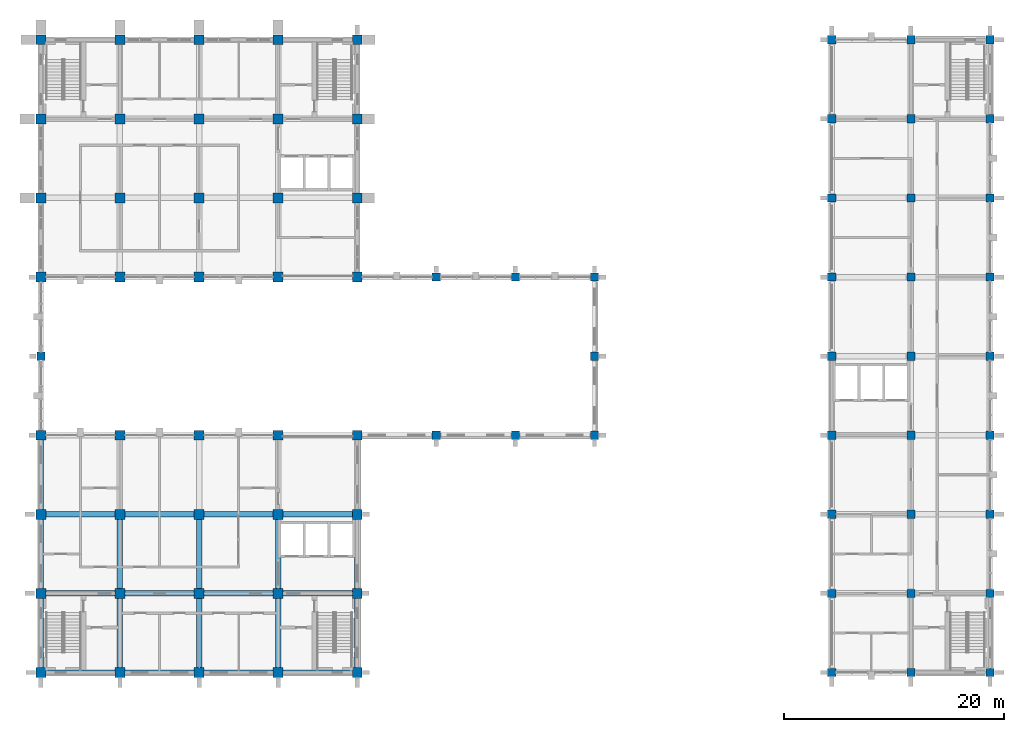
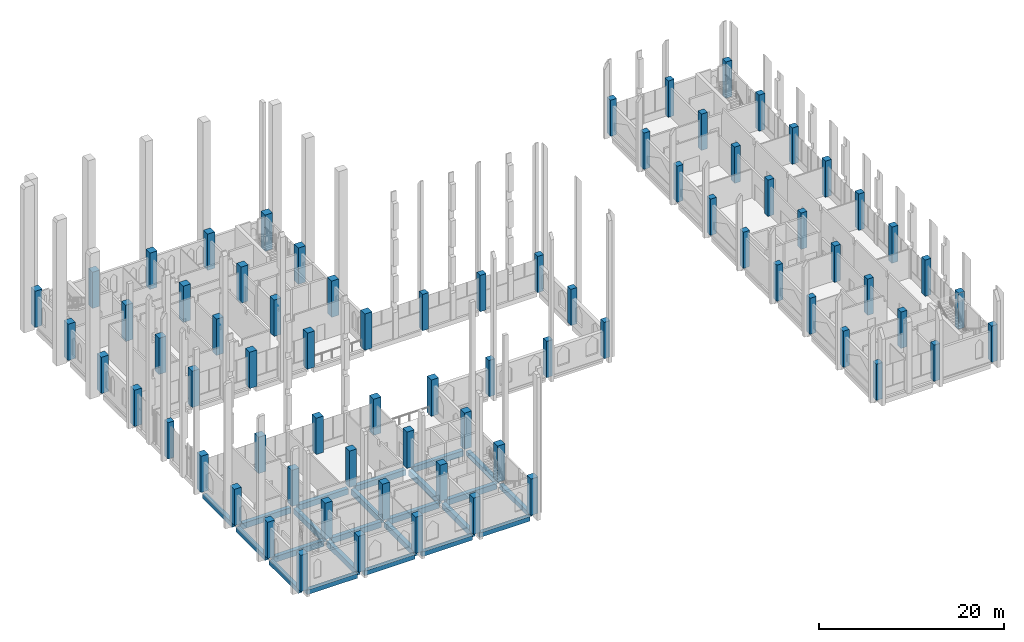
# One storey, part 1 of 40: 75 columns, 23 beams.
"""IFC4 building model written with IfcOpenShell, lengths in metres."""

from ifc_helpers import new_model, si_unit, direction, frame, origin, origin_2d, place, context, subcontext, project, spatial, rectangle, extrude, material, material_profile, profile_set, type_object, element, save


model = new_model("IFC4")

# Units and contexts
model_context = context("Model", 3, precision=1e-05, world=origin(), true_north=direction((0.0, 1.0)))
body_context = subcontext(model_context, "Body", "Model", "MODEL_VIEW")
ifc_project = project(units=[si_unit("LENGTHUNIT", "METRE"), si_unit("AREAUNIT", "SQUARE_METRE"), si_unit("VOLUMEUNIT", "CUBIC_METRE"), si_unit("PLANEANGLEUNIT", "RADIAN"), si_unit("MASSUNIT", "GRAM", prefix="KILO")], contexts=[model_context])

# Site, building, storey
site_placement = place(None, origin())
site = spatial("IfcSite", under=ifc_project, at=site_placement, CompositionType="ELEMENT")
building_placement = place(site_placement, origin())
building = spatial("IfcBuilding", under=site, at=building_placement, Name="Silangan Lancet Faculty of Sciences", CompositionType="ELEMENT")
storey_placement = place(building_placement, frame((0.0, 0.0, 21.60009765625)))
storey = spatial("IfcBuildingStorey", under=building, at=storey_placement, Name="L04", CompositionType="ELEMENT", Elevation=21.60009765625)

# Columns
ifc_material_1 = material(Name="Concrete C40/50", Category="concrete")
ifc_material_profile_1 = material_profile(ifc_material_1, rectangle(XDim=0.75, YDim=0.75, at=origin_2d()), Name="RC 750x750")
ifc_profile_set_1 = profile_set([ifc_material_profile_1], Name="Concrete C40/50")
column_type_1 = type_object("IfcColumnType", Name="COLUMN RC 750x750", PredefinedType="COLUMN", material=ifc_profile_set_1)
for number, where, z_axis, x_axis, name in (
    (1, (0.0, 28.800048828125, 0.0), (0.0, 0.0, 1.0), (1.0, 0.0, 0.0), "COL-L04-1E"),
    (2, (36.0, 21.60009765625, 0.0), (0.0, 0.0, 1.0), (1.0, 0.0, 0.0), "COL-L04-6D"),
    (3, (36.0, 36.0, 0.0), (0.0, 0.0, 1.0), (1.0, 0.0, 0.0), "COL-L04-6F"),
    (4, (43.199951171875, 21.60009765625, 0.0), (0.0, 0.0, 1.0), (1.0, 0.0, 0.0), "COL-L04-7D"),
    (5, (43.199951171875, 36.0, 0.0), (0.0, 0.0, 1.0), (1.0, 0.0, 0.0), "COL-L04-7F"),
    (6, (50.39990234375, 21.60009765625, 0.0), (0.0, 0.0, 1.0), (1.0, 0.0, 0.0), "COL-L04-8D"),
    (7, (50.39990234375, 28.800048828125, 0.0), (0.0, 0.0, 1.0), (1.0, 0.0, 0.0), "COL-L04-8E"),
    (8, (50.39990234375, 36.0, 0.0), (0.0, 0.0, 1.0), (1.0, 0.0, 0.0), "COL-L04-8F"),
    (9, (72.0, 0.0, 0.0), (0.0, 0.0, 1.0), (1.0, 0.0, 0.0), "COL-L04-11A"),
    (10, (72.0, 7.199951171875, 0.0), (0.0, 0.0, 1.0), (1.0, 0.0, 0.0), "COL-L04-11B"),
    (11, (72.0, 14.39990234375, 0.0), (0.0, 0.0, 1.0), (1.0, 0.0, 0.0), "COL-L04-11C"),
    (12, (72.0, 21.60009765625, 0.0), (0.0, 0.0, 1.0), (1.0, 0.0, 0.0), "COL-L04-11D"),
    (13, (72.0, 28.800048828125, 0.0), (0.0, 0.0, 1.0), (1.0, 0.0, 0.0), "COL-L04-11E"),
    (14, (72.0, 36.0, 0.0), (0.0, 0.0, 1.0), (1.0, 0.0, 0.0), "COL-L04-11F"),
    (15, (72.0, 43.199951171875, 0.0), (0.0, 0.0, 1.0), (1.0, 0.0, 0.0), "COL-L04-11G"),
    (16, (72.0, 50.39990234375, 0.0), (0.0, 0.0, 1.0), (1.0, 0.0, 0.0), "COL-L04-11H"),
    (17, (72.0, 57.60009765625, 0.0), (0.0, 0.0, 1.0), (1.0, 0.0, 0.0), "COL-L04-11I"),
    (18, (79.199951171875, 0.0, 0.0), (0.0, 0.0, 1.0), (1.0, 0.0, 0.0), "COL-L04-12A"),
    (19, (79.199951171875, 7.199951171875, 0.0), (0.0, 0.0, 1.0), (1.0, 0.0, 0.0), "COL-L04-12B"),
    (20, (79.199951171875, 14.39990234375, 0.0), (0.0, 0.0, 1.0), (1.0, 0.0, 0.0), "COL-L04-12C"),
    (21, (79.199951171875, 21.60009765625, 0.0), (0.0, 0.0, 1.0), (1.0, 0.0, 0.0), "COL-L04-12D"),
    (22, (79.199951171875, 28.800048828125, 0.0), (0.0, 0.0, 1.0), (1.0, 0.0, 0.0), "COL-L04-12E"),
    (23, (79.199951171875, 36.0, 0.0), (0.0, 0.0, 1.0), (1.0, 0.0, 0.0), "COL-L04-12F"),
    (24, (79.199951171875, 43.199951171875, 0.0), (0.0, 0.0, 1.0), (1.0, 0.0, 0.0), "COL-L04-12G"),
    (25, (79.199951171875, 50.39990234375, 0.0), (0.0, 0.0, 1.0), (1.0, 0.0, 0.0), "COL-L04-12H"),
    (26, (79.199951171875, 57.60009765625, 0.0), (0.0, 0.0, 1.0), (1.0, 0.0, 0.0), "COL-L04-12I"),
    (27, (86.39990234375, 0.0, 0.0), (0.0, 0.0, 1.0), (1.0, 0.0, 0.0), "COL-L04-13A"),
    (28, (86.39990234375, 7.199951171875, 0.0), (0.0, 0.0, 1.0), (1.0, 0.0, 0.0), "COL-L04-13B"),
    (29, (86.39990234375, 14.39990234375, 0.0), (0.0, 0.0, 1.0), (1.0, 0.0, 0.0), "COL-L04-13C"),
    (30, (86.39990234375, 21.60009765625, 0.0), (0.0, 0.0, 1.0), (1.0, 0.0, 0.0), "COL-L04-13D"),
    (31, (86.39990234375, 28.800048828125, 0.0), (0.0, 0.0, 1.0), (1.0, 0.0, 0.0), "COL-L04-13E"),
    (32, (86.39990234375, 36.0, 0.0), (0.0, 0.0, 1.0), (1.0, 0.0, 0.0), "COL-L04-13F"),
    (33, (86.39990234375, 43.199951171875, 0.0), (0.0, 0.0, 1.0), (1.0, 0.0, 0.0), "COL-L04-13G"),
    (34, (86.39990234375, 50.39990234375, 0.0), (0.0, 0.0, 1.0), (1.0, 0.0, 0.0), "COL-L04-13H"),
    (35, (86.39990234375, 57.60009765625, 0.0), (0.0, 0.0, 1.0), (1.0, 0.0, 0.0), "COL-L04-13I"),
):
    element("IfcColumn", number, at=place(storey_placement, frame(where, z_axis=z_axis, x_axis=x_axis)), inside=storey, type_object=column_type_1, Name=name, PredefinedType="COLUMN", context=body_context, shape_type="SweptSolid", body=[
        extrude(rectangle(XDim=0.75, YDim=0.75, at=origin_2d()), origin(), (0.0, 0.0, 1.0), 4.7998046875),
    ])
ifc_material_2 = material(Name="Concrete C50/60", Category="concrete")
ifc_material_profile_2 = material_profile(ifc_material_2, rectangle(XDim=0.89990234375, YDim=0.89990234375, at=origin_2d()), Name="RC 900x900")
ifc_profile_set_2 = profile_set([ifc_material_profile_2], Name="Concrete C50/60")
column_type_2 = type_object("IfcColumnType", Name="COLUMN RC 900x900", PredefinedType="COLUMN", material=ifc_profile_set_2)
for number, where, z_axis, x_axis, name in (
    (36, (0.0, 0.0, 0.0), (0.0, 0.0, 1.0), (1.0, 0.0, 0.0), "COL-L04-1A"),
    (37, (0.0, 7.199951171875, 0.0), (0.0, 0.0, 1.0), (1.0, 0.0, 0.0), "COL-L04-1B"),
    (38, (0.0, 14.39990234375, 0.0), (0.0, 0.0, 1.0), (1.0, 0.0, 0.0), "COL-L04-1C"),
    (39, (0.0, 21.60009765625, 0.0), (0.0, 0.0, 1.0), (1.0, 0.0, 0.0), "COL-L04-1D"),
    (40, (0.0, 36.0, 0.0), (0.0, 0.0, 1.0), (1.0, 0.0, 0.0), "COL-L04-1F"),
    (41, (0.0, 43.199951171875, 0.0), (0.0, 0.0, 1.0), (1.0, 0.0, 0.0), "COL-L04-1G"),
    (42, (0.0, 50.39990234375, 0.0), (0.0, 0.0, 1.0), (1.0, 0.0, 0.0), "COL-L04-1H"),
    (43, (0.0, 57.60009765625, 0.0), (0.0, 0.0, 1.0), (1.0, 0.0, 0.0), "COL-L04-1I"),
    (44, (7.199951171875, 0.0, 0.0), (0.0, 0.0, 1.0), (1.0, 0.0, 0.0), "COL-L04-2A"),
    (45, (7.199951171875, 7.199951171875, 0.0), (0.0, 0.0, 1.0), (1.0, 0.0, 0.0), "COL-L04-2B"),
    (46, (7.199951171875, 14.39990234375, 0.0), (0.0, 0.0, 1.0), (1.0, 0.0, 0.0), "COL-L04-2C"),
    (47, (7.199951171875, 21.60009765625, 0.0), (0.0, 0.0, 1.0), (1.0, 0.0, 0.0), "COL-L04-2D"),
    (48, (7.199951171875, 36.0, 0.0), (0.0, 0.0, 1.0), (1.0, 0.0, 0.0), "COL-L04-2F"),
    (49, (7.199951171875, 43.199951171875, 0.0), (0.0, 0.0, 1.0), (1.0, 0.0, 0.0), "COL-L04-2G"),
    (50, (7.199951171875, 50.39990234375, 0.0), (0.0, 0.0, 1.0), (1.0, 0.0, 0.0), "COL-L04-2H"),
    (51, (7.199951171875, 57.60009765625, 0.0), (0.0, 0.0, 1.0), (1.0, 0.0, 0.0), "COL-L04-2I"),
    (52, (14.39990234375, 0.0, 0.0), (0.0, 0.0, 1.0), (1.0, 0.0, 0.0), "COL-L04-3A"),
    (53, (14.39990234375, 7.199951171875, 0.0), (0.0, 0.0, 1.0), (1.0, 0.0, 0.0), "COL-L04-3B"),
    (54, (14.39990234375, 14.39990234375, 0.0), (0.0, 0.0, 1.0), (1.0, 0.0, 0.0), "COL-L04-3C"),
    (55, (14.39990234375, 21.60009765625, 0.0), (0.0, 0.0, 1.0), (1.0, 0.0, 0.0), "COL-L04-3D"),
    (56, (14.39990234375, 36.0, 0.0), (0.0, 0.0, 1.0), (1.0, 0.0, 0.0), "COL-L04-3F"),
    (57, (14.39990234375, 43.199951171875, 0.0), (0.0, 0.0, 1.0), (1.0, 0.0, 0.0), "COL-L04-3G"),
    (58, (14.39990234375, 50.39990234375, 0.0), (0.0, 0.0, 1.0), (1.0, 0.0, 0.0), "COL-L04-3H"),
    (59, (14.39990234375, 57.60009765625, 0.0), (0.0, 0.0, 1.0), (1.0, 0.0, 0.0), "COL-L04-3I"),
    (60, (21.60009765625, 0.0, 0.0), (0.0, 0.0, 1.0), (1.0, 0.0, 0.0), "COL-L04-4A"),
    (61, (21.60009765625, 7.199951171875, 0.0), (0.0, 0.0, 1.0), (1.0, 0.0, 0.0), "COL-L04-4B"),
    (62, (21.60009765625, 14.39990234375, 0.0), (0.0, 0.0, 1.0), (1.0, 0.0, 0.0), "COL-L04-4C"),
    (63, (21.60009765625, 21.60009765625, 0.0), (0.0, 0.0, 1.0), (1.0, 0.0, 0.0), "COL-L04-4D"),
    (64, (21.60009765625, 36.0, 0.0), (0.0, 0.0, 1.0), (1.0, 0.0, 0.0), "COL-L04-4F"),
    (65, (21.60009765625, 43.199951171875, 0.0), (0.0, 0.0, 1.0), (1.0, 0.0, 0.0), "COL-L04-4G"),
    (66, (21.60009765625, 50.39990234375, 0.0), (0.0, 0.0, 1.0), (1.0, 0.0, 0.0), "COL-L04-4H"),
    (67, (21.60009765625, 57.60009765625, 0.0), (0.0, 0.0, 1.0), (1.0, 0.0, 0.0), "COL-L04-4I"),
    (68, (28.800048828125, 0.0, 0.0), (0.0, 0.0, 1.0), (1.0, 0.0, 0.0), "COL-L04-5A"),
    (69, (28.800048828125, 7.199951171875, 0.0), (0.0, 0.0, 1.0), (1.0, 0.0, 0.0), "COL-L04-5B"),
    (70, (28.800048828125, 14.39990234375, 0.0), (0.0, 0.0, 1.0), (1.0, 0.0, 0.0), "COL-L04-5C"),
    (71, (28.800048828125, 21.60009765625, 0.0), (0.0, 0.0, 1.0), (1.0, 0.0, 0.0), "COL-L04-5D"),
    (72, (28.800048828125, 36.0, 0.0), (0.0, 0.0, 1.0), (1.0, 0.0, 0.0), "COL-L04-5F"),
    (73, (28.800048828125, 43.199951171875, 0.0), (0.0, 0.0, 1.0), (1.0, 0.0, 0.0), "COL-L04-5G"),
    (74, (28.800048828125, 50.39990234375, 0.0), (0.0, 0.0, 1.0), (1.0, 0.0, 0.0), "COL-L04-5H"),
    (75, (28.800048828125, 57.60009765625, 0.0), (0.0, 0.0, 1.0), (1.0, 0.0, 0.0), "COL-L04-5I"),
):
    element("IfcColumn", number, at=place(storey_placement, frame(where, z_axis=z_axis, x_axis=x_axis)), inside=storey, type_object=column_type_2, Name=name, PredefinedType="COLUMN", context=body_context, shape_type="SweptSolid", body=[
        extrude(rectangle(XDim=0.89990234375, YDim=0.89990234375, at=origin_2d()), origin(), (0.0, 0.0, 1.0), 4.7998046875),
    ])

# Beams
ifc_material_3 = material(Name="Concrete C40/50", Category="concrete")
ifc_material_profile_3 = material_profile(ifc_material_3, rectangle(XDim=0.5, YDim=0.60009765625, at=origin_2d()), Name="RC 500x600")
ifc_profile_set_3 = profile_set([ifc_material_profile_3], Name="Concrete C40/50")
beam_type_1 = type_object("IfcBeamType", Name="BEAM RC 500x600", PredefinedType="BEAM", material=ifc_profile_set_3)
for number, where, z_axis, x_axis, name in (
    (76, (0.449951171875, 0.0, -0.550048828125), (1.0, 0.0, 0.0), (0.0, 1.0, 0.0), "BM-L04-1A-2A"),
    (77, (7.64990234375, 0.0, -0.550048828125), (1.0, 0.0, 0.0), (0.0, 1.0, 0.0), "BM-L04-2A-3A"),
):
    element("IfcBeam", number, at=place(storey_placement, frame(where, z_axis=z_axis, x_axis=x_axis)), inside=storey, type_object=beam_type_1, Name=name, PredefinedType="BEAM", context=body_context, shape_type="SweptSolid", body=[
        extrude(rectangle(XDim=0.5, YDim=0.60009765625, at=origin_2d()), origin(), (0.0, 0.0, 1.0), 6.300048828125),
    ])
beam_1_placement = place(storey_placement, frame((14.85009765625, 0.0, -0.550048828125), z_axis=(1.0, 0.0, 0.0), x_axis=(0.0, 1.0, 0.0)))
element("IfcBeam", 78, at=beam_1_placement, inside=storey, type_object=beam_type_1, Name="BM-L04-3A-4A", PredefinedType="BEAM", context=body_context, shape_type="SweptSolid", body=[
    extrude(rectangle(XDim=0.5, YDim=0.60009765625, at=origin_2d()), origin(), (0.0, 0.0, 1.0), 6.2998046875),
])
for number, where, z_axis, x_axis, name in (
    (79, (22.050048828125, 0.0, -0.550048828125), (1.0, 0.0, 0.0), (0.0, 1.0, 0.0), "BM-L04-4A-5A"),
    (80, (0.0, 0.449951171875, -0.550048828125), (0.0, 1.0, 0.0), (-1.0, 0.0, 0.0), "BM-L04-1A-1B"),
    (81, (0.0, 7.64990234375, -0.550048828125), (0.0, 1.0, 0.0), (-1.0, 0.0, 0.0), "BM-L04-1B-1C"),
):
    element("IfcBeam", number, at=place(storey_placement, frame(where, z_axis=z_axis, x_axis=x_axis)), inside=storey, type_object=beam_type_1, Name=name, PredefinedType="BEAM", context=body_context, shape_type="SweptSolid", body=[
        extrude(rectangle(XDim=0.5, YDim=0.60009765625, at=origin_2d()), origin(), (0.0, 0.0, 1.0), 6.300048828125),
    ])
beam_2_placement = place(storey_placement, frame((0.0, 14.85009765625, -0.550048828125), z_axis=(0.0, 1.0, 0.0), x_axis=(-1.0, 0.0, 0.0)))
element("IfcBeam", 82, at=beam_2_placement, inside=storey, type_object=beam_type_1, Name="BM-L04-1C-1D", PredefinedType="BEAM", context=body_context, shape_type="SweptSolid", body=[
    extrude(rectangle(XDim=0.5, YDim=0.60009765625, at=origin_2d()), origin(), (0.0, 0.0, 1.0), 6.2998046875),
])
for number, where, z_axis, x_axis, name in (
    (83, (28.800048828125, 0.449951171875, -0.550048828125), (0.0, 1.0, 0.0), (-1.0, 0.0, 0.0), "BM-L04-5A-5B"),
    (84, (28.800048828125, 7.64990234375, -0.550048828125), (0.0, 1.0, 0.0), (-1.0, 0.0, 0.0), "BM-L04-5B-5C"),
):
    element("IfcBeam", number, at=place(storey_placement, frame(where, z_axis=z_axis, x_axis=x_axis)), inside=storey, type_object=beam_type_1, Name=name, PredefinedType="BEAM", context=body_context, shape_type="SweptSolid", body=[
        extrude(rectangle(XDim=0.5, YDim=0.60009765625, at=origin_2d()), origin(), (0.0, 0.0, 1.0), 6.300048828125),
    ])
ifc_material_4 = material(Name="Concrete C40/50", Category="concrete")
ifc_material_profile_4 = material_profile(ifc_material_4, rectangle(XDim=0.5, YDim=0.75, at=origin_2d()), Name="RC 500x750")
ifc_profile_set_4 = profile_set([ifc_material_profile_4], Name="Concrete C40/50")
beam_type_2 = type_object("IfcBeamType", Name="BEAM RC 500x750", PredefinedType="BEAM", material=ifc_profile_set_4)
for number, where, z_axis, x_axis, name in (
    (85, (0.449951171875, 7.199951171875, -0.625), (1.0, 0.0, 0.0), (0.0, 1.0, 0.0), "BM-L04-1B-2B"),
    (86, (7.64990234375, 7.199951171875, -0.625), (1.0, 0.0, 0.0), (0.0, 1.0, 0.0), "BM-L04-2B-3B"),
):
    element("IfcBeam", number, at=place(storey_placement, frame(where, z_axis=z_axis, x_axis=x_axis)), inside=storey, type_object=beam_type_2, Name=name, PredefinedType="BEAM", context=body_context, shape_type="SweptSolid", body=[
        extrude(rectangle(XDim=0.5, YDim=0.75, at=origin_2d()), origin(), (0.0, 0.0, 1.0), 6.300048828125),
    ])
beam_3_placement = place(storey_placement, frame((14.85009765625, 7.199951171875, -0.625), z_axis=(1.0, 0.0, 0.0), x_axis=(0.0, 1.0, 0.0)))
element("IfcBeam", 87, at=beam_3_placement, inside=storey, type_object=beam_type_2, Name="BM-L04-3B-4B", PredefinedType="BEAM", context=body_context, shape_type="SweptSolid", body=[
    extrude(rectangle(XDim=0.5, YDim=0.75, at=origin_2d()), origin(), (0.0, 0.0, 1.0), 6.2998046875),
])
for number, where, z_axis, x_axis, name in (
    (88, (22.050048828125, 7.199951171875, -0.625), (1.0, 0.0, 0.0), (0.0, 1.0, 0.0), "BM-L04-4B-5B"),
    (89, (0.449951171875, 14.39990234375, -0.625), (1.0, 0.0, 0.0), (0.0, 1.0, 0.0), "BM-L04-1C-2C"),
    (90, (7.64990234375, 14.39990234375, -0.625), (1.0, 0.0, 0.0), (0.0, 1.0, 0.0), "BM-L04-2C-3C"),
):
    element("IfcBeam", number, at=place(storey_placement, frame(where, z_axis=z_axis, x_axis=x_axis)), inside=storey, type_object=beam_type_2, Name=name, PredefinedType="BEAM", context=body_context, shape_type="SweptSolid", body=[
        extrude(rectangle(XDim=0.5, YDim=0.75, at=origin_2d()), origin(), (0.0, 0.0, 1.0), 6.300048828125),
    ])
beam_4_placement = place(storey_placement, frame((14.85009765625, 14.39990234375, -0.625), z_axis=(1.0, 0.0, 0.0), x_axis=(0.0, 1.0, 0.0)))
element("IfcBeam", 91, at=beam_4_placement, inside=storey, type_object=beam_type_2, Name="BM-L04-3C-4C", PredefinedType="BEAM", context=body_context, shape_type="SweptSolid", body=[
    extrude(rectangle(XDim=0.5, YDim=0.75, at=origin_2d()), origin(), (0.0, 0.0, 1.0), 6.2998046875),
])
for number, where, z_axis, x_axis, name in (
    (92, (22.050048828125, 14.39990234375, -0.625), (1.0, 0.0, 0.0), (0.0, 1.0, 0.0), "BM-L04-4C-5C"),
    (93, (7.199951171875, 0.449951171875, -0.625), (0.0, 1.0, 0.0), (-1.0, 0.0, 0.0), "BM-L04-2A-2B"),
    (94, (7.199951171875, 7.64990234375, -0.625), (0.0, 1.0, 0.0), (-1.0, 0.0, 0.0), "BM-L04-2B-2C"),
    (95, (14.39990234375, 0.449951171875, -0.625), (0.0, 1.0, 0.0), (-1.0, 0.0, 0.0), "BM-L04-3A-3B"),
    (96, (14.39990234375, 7.64990234375, -0.625), (0.0, 1.0, 0.0), (-1.0, 0.0, 0.0), "BM-L04-3B-3C"),
    (97, (21.60009765625, 0.449951171875, -0.625), (0.0, 1.0, 0.0), (-1.0, 0.0, 0.0), "BM-L04-4A-4B"),
    (98, (21.60009765625, 7.64990234375, -0.625), (0.0, 1.0, 0.0), (-1.0, 0.0, 0.0), "BM-L04-4B-4C"),
):
    element("IfcBeam", number, at=place(storey_placement, frame(where, z_axis=z_axis, x_axis=x_axis)), inside=storey, type_object=beam_type_2, Name=name, PredefinedType="BEAM", context=body_context, shape_type="SweptSolid", body=[
        extrude(rectangle(XDim=0.5, YDim=0.75, at=origin_2d()), origin(), (0.0, 0.0, 1.0), 6.300048828125),
    ])

save(model, "model.ifc")
